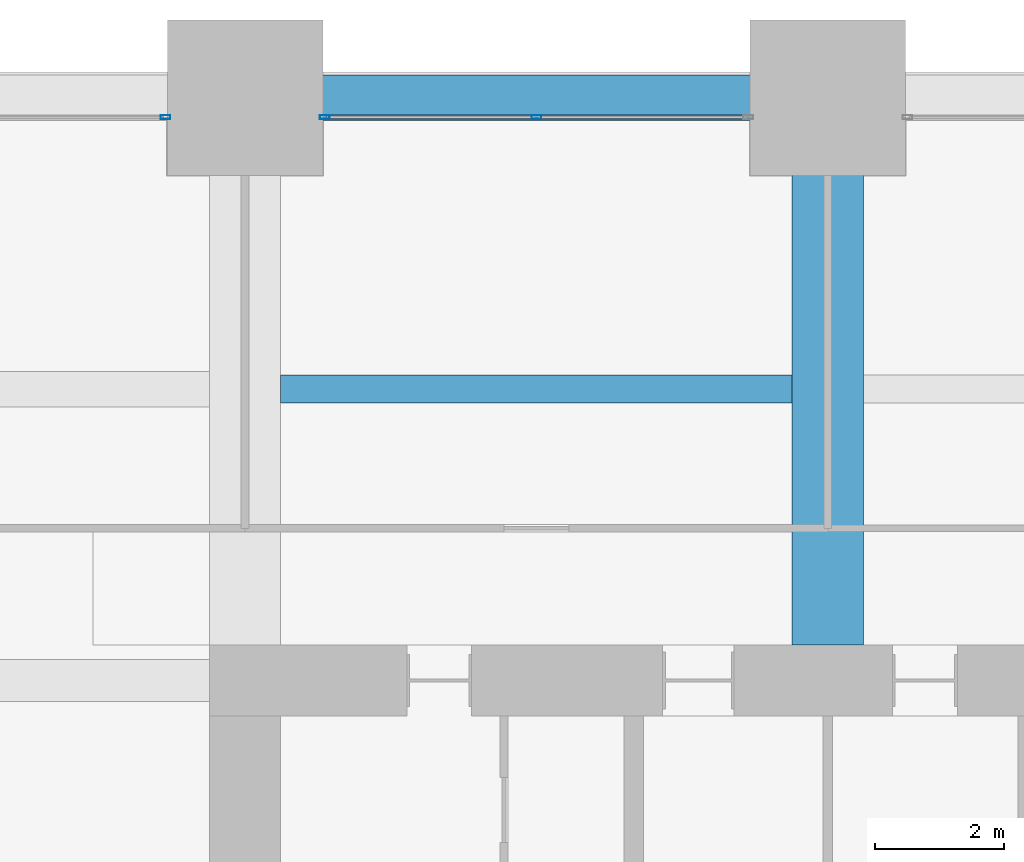
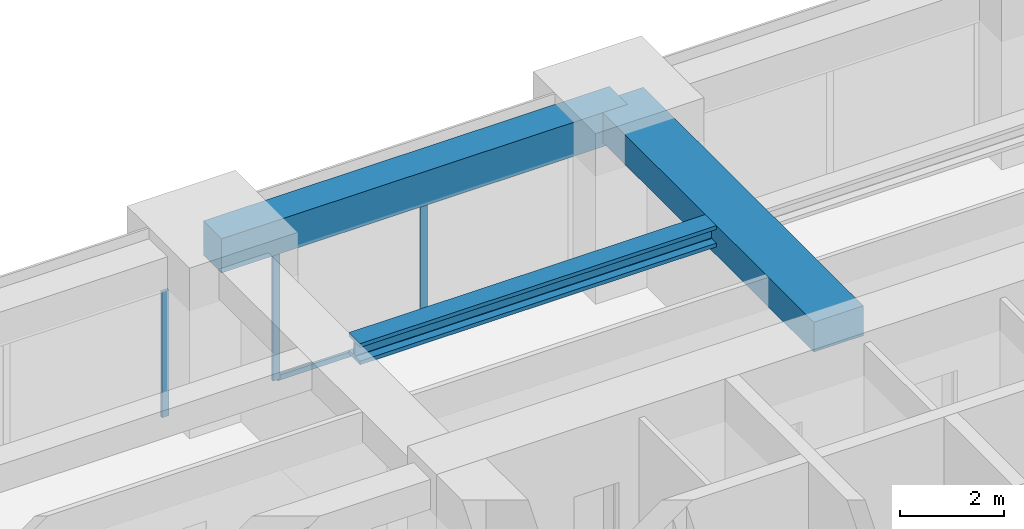
# One storey, part 24 of 32: 4 members, 3 beams, 2 elements without a shape of their own.
"""IFC4 building model written with IfcOpenShell, lengths in metres."""

from ifc_helpers import new_model, si_unit, direction, frame, origin, origin_2d, place, context, subcontext, project, spatial, rectangle, hollow_rectangle, i_section, extrude, material, material_profile, profile_set, type_object, element, aggregate, save


model = new_model("IFC4")

# Units and contexts
model_context = context("Model", 3, precision=1e-05, world=origin(), true_north=direction((0.0, 1.0)))
body_context = subcontext(model_context, "Body", "Model", "MODEL_VIEW")
ifc_project = project(units=[si_unit("LENGTHUNIT", "METRE"), si_unit("AREAUNIT", "SQUARE_METRE"), si_unit("VOLUMEUNIT", "CUBIC_METRE"), si_unit("PLANEANGLEUNIT", "RADIAN"), si_unit("MASSUNIT", "GRAM", prefix="KILO")], contexts=[model_context])

# Site, building, storey
site_placement = place(None, origin())
site = spatial("IfcSite", under=ifc_project, at=site_placement, CompositionType="ELEMENT")
building_placement = place(site_placement, origin())
building = spatial("IfcBuilding", under=site, at=building_placement, Name="Zorevar Civic Tower", CompositionType="ELEMENT")
storey_placement = place(building_placement, frame((0.0, 0.0, 190.199951171875)))
storey = spatial("IfcBuildingStorey", under=building, at=storey_placement, Name="L46", CompositionType="ELEMENT", Elevation=190.199951171875)

# Beam
ifc_material_1 = material(Name="Concrete C50/60", Category="concrete")
ifc_material_profile_1 = material_profile(ifc_material_1, rectangle(XDim=1.10009765625, YDim=0.699951171875, at=origin_2d()), Name="RC 1100x700")
ifc_profile_set_1 = profile_set([ifc_material_profile_1], Name="Concrete C50/60")
beam_type_1 = type_object("IfcBeamType", Name="Beam RC 1100x700", PredefinedType="BEAM", material=ifc_profile_set_1)
beam_1_placement = place(storey_placement, frame((27.0, 36.550048828125, 3.400146484375), z_axis=(0.0, 1.0, 0.0), x_axis=(-1.0, 0.0, 0.0)))
element("IfcBeam", 1, at=beam_1_placement, inside=storey, type_object=beam_type_1, Name="Girder L47", PredefinedType="BEAM", context=body_context, shape_type="SweptSolid", body=[
    extrude(rectangle(XDim=1.10009765625, YDim=0.699951171875, at=origin_2d()), origin(), (0.0, 0.0, 1.0), 8.449951171875),
])

# Curtain wall, member
ifc_material_2 = material(Name="Dark grey solar-control glass in black aluminium frame", Category="aluminium")
curtain_wall_type = type_object("IfcCurtainWallType", Name="Curtain wall CW4 high zone", PredefinedType="NOTDEFINED", material=ifc_material_2)
curtain_wall_1_placement = place(storey_placement, origin())
curtain_wall_1 = element("IfcCurtainWall", 2, at=curtain_wall_1_placement, inside=storey, type_object=curtain_wall_type, Name="CW4 L46", PredefinedType="NOTDEFINED")
ifc_material_3 = material(Name="Aluminium, black anodised", Category="aluminium")
ifc_material_profile_2 = material_profile(ifc_material_3, hollow_rectangle(XDim=0.06005859375, YDim=0.14990234375, WallThickness=0.00390625, at=origin_2d()), Name="AL 150x60x4")
ifc_profile_set_2 = profile_set([ifc_material_profile_2], Name="Aluminium, black anodised")
member_type_1 = type_object("IfcMemberType", Name="CW4 mullion AL 150x60x4", PredefinedType="MULLION", material=ifc_profile_set_2)
member_1_placement = place(storey_placement, frame((16.77001953125, 44.699951171875, 0.0), z_axis=(0.0, 0.0, 1.0), x_axis=(0.0, 1.0, 0.0)))
member_1 = element("IfcMember", 3, at=member_1_placement, type_object=member_type_1, Name="CW4 mullion 3", PredefinedType="MULLION", context=body_context, shape_type="SweptSolid", body=[
    extrude(hollow_rectangle(XDim=0.06005859375, YDim=0.14990234375, WallThickness=0.00390625, at=origin_2d()), origin(), (0.0, 0.0, 1.0), 2.949951171875),
])
aggregate(curtain_wall_1, [member_1])

# Curtain wall, members
curtain_wall_2_placement = place(storey_placement, origin())
curtain_wall_2 = element("IfcCurtainWall", 4, at=curtain_wall_2_placement, inside=storey, type_object=curtain_wall_type, Name="CW4 L46", PredefinedType="NOTDEFINED")
member_2_placement = place(storey_placement, frame((19.22998046875, 44.699951171875, 0.0), z_axis=(0.0, 0.0, 1.0), x_axis=(0.0, 1.0, 0.0)))
member_2 = element("IfcMember", 5, at=member_2_placement, type_object=member_type_1, Name="CW4 mullion 1", PredefinedType="MULLION", context=body_context, shape_type="SweptSolid", body=[
    extrude(hollow_rectangle(XDim=0.06005859375, YDim=0.14990234375, WallThickness=0.00390625, at=origin_2d()), origin(), (0.0, 0.0, 1.0), 2.949951171875),
])
member_3_placement = place(storey_placement, frame((22.5, 44.699951171875, 0.06005859375), z_axis=(0.0, 0.0, 1.0), x_axis=(0.0, 1.0, 0.0)))
member_3 = element("IfcMember", 6, at=member_3_placement, type_object=member_type_1, Name="CW4 mullion 2", PredefinedType="MULLION", context=body_context, shape_type="SweptSolid", body=[
    extrude(hollow_rectangle(XDim=0.06005859375, YDim=0.14990234375, WallThickness=0.00390625, at=origin_2d()), origin(), (0.0, 0.0, 1.0), 2.889892578125),
])
ifc_material_4 = material(Name="Aluminium, black anodised", Category="aluminium")
ifc_material_profile_3 = material_profile(ifc_material_4, hollow_rectangle(XDim=0.06005859375, YDim=0.1201171875, WallThickness=0.0029296875, at=origin_2d()), Name="AL 120x60x3")
ifc_profile_set_3 = profile_set([ifc_material_profile_3], Name="Aluminium, black anodised")
member_type_2 = type_object("IfcMemberType", Name="CW4 transom AL 120x60x3", PredefinedType="USERDEFINED", material=ifc_profile_set_3)
member_4_placement = place(storey_placement, frame((19.260009765625, 44.699951171875, 0.030029296875), z_axis=(1.0, 0.0, 0.0), x_axis=(0.0, 1.0, 0.0)))
member_4 = element("IfcMember", 7, at=member_4_placement, type_object=member_type_2, Name="CW4 sill transom", ObjectType="TRANSOM", PredefinedType="USERDEFINED", context=body_context, shape_type="SweptSolid", body=[
    extrude(hollow_rectangle(XDim=0.06005859375, YDim=0.1201171875, WallThickness=0.0029296875, at=origin_2d()), origin(), (0.0, 0.0, 1.0), 6.47998046875),
])
aggregate(curtain_wall_2, [member_2, member_3, member_4])

# Beams
ifc_material_5 = material(Name="Steel S460M (HISTAR 460)", Category="steel")
ifc_material_profile_4 = material_profile(ifc_material_5, i_section(OverallWidth=0.431884765625, OverallDepth=0.498046875, WebThickness=0.0556640625, FlangeThickness=0.0888671875, FilletRadius=0.014892578125, at=origin_2d()), Name="HD 400x744")
ifc_profile_set_4 = profile_set([ifc_material_profile_4], Name="Steel S460M (HISTAR 460)")
beam_type_2 = type_object("IfcBeamType", Name="Core bay beam HD 400x744", PredefinedType="BEAM", material=ifc_profile_set_4)
beam_2_placement = place(storey_placement, frame((18.550048828125, 40.5, 3.5009765625), z_axis=(1.0, 0.0, 0.0), x_axis=(0.0, 1.0, 0.0)))
element("IfcBeam", 8, at=beam_2_placement, inside=storey, type_object=beam_type_2, Name="Secondary beam L47", PredefinedType="BEAM", context=body_context, shape_type="SweptSolid", body=[
    extrude(i_section(OverallWidth=0.431884765625, OverallDepth=0.498046875, WebThickness=0.0556640625, FlangeThickness=0.0888671875, FilletRadius=0.014892578125, at=origin_2d()), origin(), (0.0, 0.0, 1.0), 7.89990234375),
])
ifc_material_6 = material(Name="Concrete C50/60", Category="concrete")
ifc_material_profile_5 = material_profile(ifc_material_6, rectangle(XDim=0.699951171875, YDim=0.800048828125, at=origin_2d()), Name="RC 700x800")
ifc_profile_set_5 = profile_set([ifc_material_profile_5], Name="Concrete C50/60")
beam_type_3 = type_object("IfcBeamType", Name="Edge beam RC 700x800", PredefinedType="SPANDREL", material=ifc_profile_set_5)
beam_3_placement = place(storey_placement, frame((18.0, 45.0, 3.35009765625), z_axis=(1.0, 0.0, 0.0), x_axis=(0.0, 1.0, 0.0)))
element("IfcBeam", 9, at=beam_3_placement, inside=storey, type_object=beam_type_3, Name="Edge beam L47", PredefinedType="SPANDREL", context=body_context, shape_type="SweptSolid", body=[
    extrude(rectangle(XDim=0.699951171875, YDim=0.800048828125, at=origin_2d()), origin(), (0.0, 0.0, 1.0), 9.0),
])

save(model, "model.ifc")
